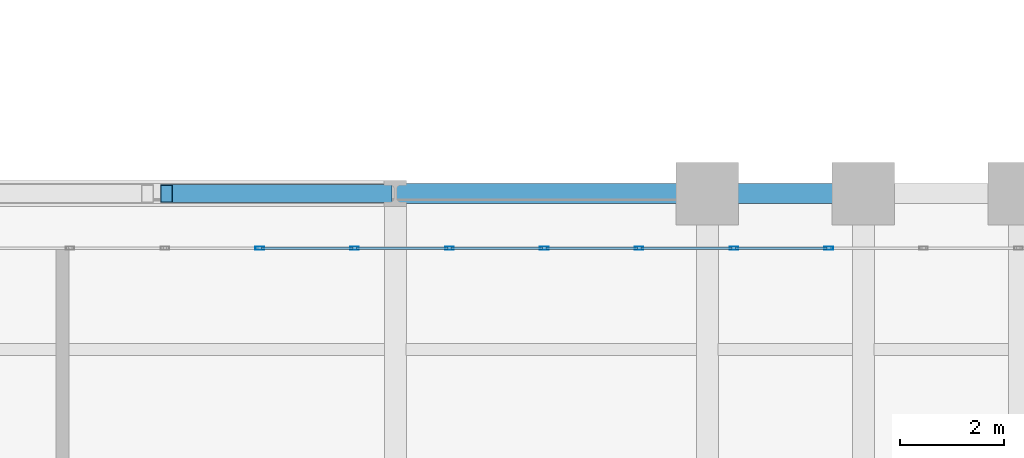
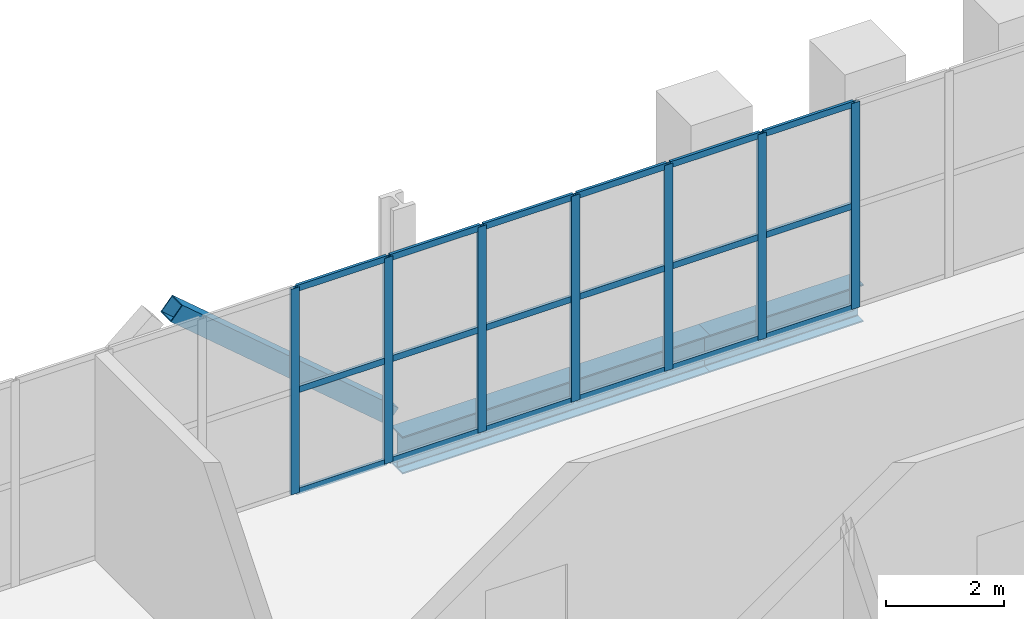
# One storey, part 17 of 27: 26 members, 2 beams, 1 element without a shape of its own.
"""IFC4 building model written with IfcOpenShell, lengths in metres."""

from ifc_helpers import new_model, si_unit, direction, frame, origin, origin_2d, place, context, subcontext, project, spatial, hollow_rectangle, i_section, extrude, material, layer, layer_set, material_profile, profile_set, type_object, element, aggregate, save


model = new_model("IFC4")

# Units and contexts
model_context = context("Model", 3, precision=1e-05, world=origin(), true_north=direction((0.0, 1.0)))
body_context = subcontext(model_context, "Body", "Model", "MODEL_VIEW")
ifc_project = project(units=[si_unit("LENGTHUNIT", "METRE"), si_unit("AREAUNIT", "SQUARE_METRE"), si_unit("VOLUMEUNIT", "CUBIC_METRE"), si_unit("PLANEANGLEUNIT", "RADIAN"), si_unit("MASSUNIT", "GRAM", prefix="KILO")], contexts=[model_context])

# Site, building, storey
site_placement = place(None, origin())
site = spatial("IfcSite", under=ifc_project, at=site_placement, CompositionType="ELEMENT")
building_placement = place(site_placement, origin())
building = spatial("IfcBuilding", under=site, at=building_placement, Name="Mawjdan Bourse Tower", CompositionType="ELEMENT")
storey_placement = place(building_placement, frame((0.0, 0.0, 84.60009765625)))
storey = spatial("IfcBuildingStorey", under=building, at=storey_placement, Name="L19", CompositionType="ELEMENT", Elevation=84.60009765625)

# Member
ifc_material_1 = material(Name="Structural Steel S460", Category="steel")
ifc_material_profile_1 = material_profile(ifc_material_1, hollow_rectangle(XDim=0.35009765625, YDim=0.35009765625, WallThickness=0.01611328125, at=origin_2d()), Name="HSS350X350X16")
ifc_profile_set_1 = profile_set([ifc_material_profile_1], Name="Structural Steel S460")
member_type_1 = type_object("IfcMemberType", Name="BRC-HSS350X350X16", PredefinedType="BRACE", material=ifc_profile_set_1)
member_1_placement = place(storey_placement, frame((37.595947265625, 21.0, 3.7998046875), z_axis=(0.760829478047, 0.0, -0.648951851322), x_axis=(0.0, 1.0, 0.0)))
element("IfcMember", 1, at=member_1_placement, inside=storey, type_object=member_type_1, Name="L19 East Outrigger Truss 2 Diagonal 4", PredefinedType="BRACE", context=body_context, shape_type="SweptSolid", body=[
    extrude(hollow_rectangle(XDim=0.35009765625, YDim=0.35009765625, WallThickness=0.01611328125, at=origin_2d()), origin(), (0.0, 0.0, 1.0), 5.547119140625),
])

# Curtain wall, members
ifc_material_2 = material(Name="Thermally Broken Aluminium and Solar Glass", Category="aluminium")
ifc_layer = layer(ifc_material_2, 0.219970703125)
ifc_layer_set = layer_set([ifc_layer], Name="Thermally Broken Aluminium and Solar Glass")
curtain_wall_type = type_object("IfcCurtainWallType", Name="CW-RFG", PredefinedType="USERDEFINED", material=ifc_layer_set)
curtain_wall_placement = place(storey_placement, origin())
curtain_wall = element("IfcCurtainWall", 2, at=curtain_wall_placement, inside=storey, type_object=curtain_wall_type, Name="L19 Refuge Band North Louvre Curtain Wall", ObjectType="REFUGE BAND LOUVRE SCREEN", PredefinedType="USERDEFINED")
ifc_material_3 = material(Name="Thermally Broken Anodised Aluminium", Category="aluminium")
ifc_material_profile_2 = material_profile(ifc_material_3, hollow_rectangle(XDim=0.06494140625, YDim=0.1650390625, WallThickness=0.00390625, at=origin_2d()), Name="ALU-MUL-165X65")
ifc_profile_set_2 = profile_set([ifc_material_profile_2], Name="Thermally Broken Anodised Aluminium")
member_type_2 = type_object("IfcMemberType", Name="MUL-ALU-MUL-165X65", PredefinedType="MULLION", material=ifc_profile_set_2)
member_2_placement = place(storey_placement, frame((50.333251953125, 19.949951171875, 0.0), z_axis=(0.0, 0.0, 1.0), x_axis=(0.0, -1.0, 0.0)))
member_2 = element("IfcMember", 3, at=member_2_placement, type_object=member_type_2, Name="CW-RFG-L19-RFG-N mullion 8", PredefinedType="MULLION", context=body_context, shape_type="SweptSolid", body=[
    extrude(hollow_rectangle(XDim=0.06494140625, YDim=0.1650390625, WallThickness=0.00390625, at=origin_2d()), origin(), (0.0, 0.0, 1.0), 4.25),
])
member_3_placement = place(storey_placement, frame((48.509521484375, 19.949951171875, 0.0), z_axis=(0.0, 0.0, 1.0), x_axis=(0.0, -1.0, 0.0)))
member_3 = element("IfcMember", 4, at=member_3_placement, type_object=member_type_2, Name="CW-RFG-L19-RFG-N mullion 9", PredefinedType="MULLION", context=body_context, shape_type="SweptSolid", body=[
    extrude(hollow_rectangle(XDim=0.06494140625, YDim=0.1650390625, WallThickness=0.00390625, at=origin_2d()), origin(), (0.0, 0.0, 1.0), 4.25),
])
member_4_placement = place(storey_placement, frame((46.685791015625, 19.949951171875, 0.0), z_axis=(0.0, 0.0, 1.0), x_axis=(0.0, -1.0, 0.0)))
member_4 = element("IfcMember", 5, at=member_4_placement, type_object=member_type_2, Name="CW-RFG-L19-RFG-N mullion 10", PredefinedType="MULLION", context=body_context, shape_type="SweptSolid", body=[
    extrude(hollow_rectangle(XDim=0.06494140625, YDim=0.1650390625, WallThickness=0.00390625, at=origin_2d()), origin(), (0.0, 0.0, 1.0), 4.25),
])
member_5_placement = place(storey_placement, frame((44.86181640625, 19.949951171875, 0.0), z_axis=(0.0, 0.0, 1.0), x_axis=(0.0, -1.0, 0.0)))
member_5 = element("IfcMember", 6, at=member_5_placement, type_object=member_type_2, Name="CW-RFG-L19-RFG-N mullion 11", PredefinedType="MULLION", context=body_context, shape_type="SweptSolid", body=[
    extrude(hollow_rectangle(XDim=0.06494140625, YDim=0.1650390625, WallThickness=0.00390625, at=origin_2d()), origin(), (0.0, 0.0, 1.0), 4.25),
])
member_6_placement = place(storey_placement, frame((43.0380859375, 19.949951171875, 0.0), z_axis=(0.0, 0.0, 1.0), x_axis=(0.0, -1.0, 0.0)))
member_6 = element("IfcMember", 7, at=member_6_placement, type_object=member_type_2, Name="CW-RFG-L19-RFG-N mullion 12", PredefinedType="MULLION", context=body_context, shape_type="SweptSolid", body=[
    extrude(hollow_rectangle(XDim=0.06494140625, YDim=0.1650390625, WallThickness=0.00390625, at=origin_2d()), origin(), (0.0, 0.0, 1.0), 4.25),
])
member_7_placement = place(storey_placement, frame((41.21435546875, 19.949951171875, 0.0), z_axis=(0.0, 0.0, 1.0), x_axis=(0.0, -1.0, 0.0)))
member_7 = element("IfcMember", 8, at=member_7_placement, type_object=member_type_2, Name="CW-RFG-L19-RFG-N mullion 13", PredefinedType="MULLION", context=body_context, shape_type="SweptSolid", body=[
    extrude(hollow_rectangle(XDim=0.06494140625, YDim=0.1650390625, WallThickness=0.00390625, at=origin_2d()), origin(), (0.0, 0.0, 1.0), 4.25),
])
member_8_placement = place(storey_placement, frame((39.390380859375, 19.949951171875, 0.0), z_axis=(0.0, 0.0, 1.0), x_axis=(0.0, -1.0, 0.0)))
member_8 = element("IfcMember", 9, at=member_8_placement, type_object=member_type_2, Name="CW-RFG-L19-RFG-N mullion 14", PredefinedType="MULLION", context=body_context, shape_type="SweptSolid", body=[
    extrude(hollow_rectangle(XDim=0.06494140625, YDim=0.1650390625, WallThickness=0.00390625, at=origin_2d()), origin(), (0.0, 0.0, 1.0), 4.25),
])

# Beams
ifc_material_4 = material(Name="Structural Steel S355", Category="steel")
ifc_material_profile_3 = material_profile(ifc_material_4, i_section(OverallWidth=0.381103515625, OverallDepth=0.77294921875, WebThickness=0.0166015625, FlangeThickness=0.027099609375, FilletRadius=0.021728515625, at=origin_2d()), Name="W30X173")
ifc_profile_set_3 = profile_set([ifc_material_profile_3], Name="Structural Steel S355")
beam_type = type_object("IfcBeamType", Name="SPN-W30X173", PredefinedType="SPANDREL", material=ifc_profile_set_3)
beam_1_placement = place(storey_placement, frame((42.0, 21.0, -0.66650390625), z_axis=(1.0, 0.0, 0.0), x_axis=(0.0, 1.0, 0.0)))
element("IfcBeam", 10, at=beam_1_placement, inside=storey, type_object=beam_type, Name="L19 Perimeter Masonry-Shelf Spandrel 018", PredefinedType="SPANDREL", context=body_context, shape_type="SweptSolid", body=[
    extrude(i_section(OverallWidth=0.381103515625, OverallDepth=0.77294921875, WebThickness=0.0166015625, FlangeThickness=0.027099609375, FilletRadius=0.021728515625, at=origin_2d()), origin(), (0.0, 0.0, 1.0), 6.0),
])
beam_2_placement = place(storey_placement, frame((48.0, 21.0, -0.66650390625), z_axis=(1.0, 0.0, 0.0), x_axis=(0.0, 1.0, 0.0)))
element("IfcBeam", 11, at=beam_2_placement, inside=storey, type_object=beam_type, Name="L19 Perimeter Masonry-Shelf Spandrel 019", PredefinedType="SPANDREL", context=body_context, shape_type="SweptSolid", body=[
    extrude(i_section(OverallWidth=0.381103515625, OverallDepth=0.77294921875, WebThickness=0.0166015625, FlangeThickness=0.027099609375, FilletRadius=0.021728515625, at=origin_2d()), origin(), (0.0, 0.0, 1.0), 3.0),
])

# Member
ifc_material_profile_4 = material_profile(ifc_material_3, hollow_rectangle(XDim=0.054931640625, YDim=0.1298828125, WallThickness=0.00341796875, at=origin_2d()), Name="ALU-TRN-130X55")
ifc_profile_set_4 = profile_set([ifc_material_profile_4], Name="Thermally Broken Anodised Aluminium")
member_type_3 = type_object("IfcMemberType", Name="TRN-ALU-TRN-130X55", PredefinedType="USERDEFINED", material=ifc_profile_set_4)
member_9_placement = place(storey_placement, frame((50.30078125, 19.949951171875, 0.02734375), z_axis=(-1.0, 0.0, 0.0), x_axis=(0.0, -1.0, 0.0)))
member_9 = element("IfcMember", 12, at=member_9_placement, type_object=member_type_3, Name="CW-RFG-L19-RFG-N transom 8.1", ObjectType="TRANSOM", PredefinedType="USERDEFINED", context=body_context, shape_type="SweptSolid", body=[
    extrude(hollow_rectangle(XDim=0.054931640625, YDim=0.1298828125, WallThickness=0.00341796875, at=origin_2d()), origin(), (0.0, 0.0, 1.0), 1.7587890625),
])

member_10_placement = place(storey_placement, frame((50.30078125, 19.949951171875, 2.125), z_axis=(-1.0, 0.0, 0.0), x_axis=(0.0, -1.0, 0.0)))
member_10 = element("IfcMember", 13, at=member_10_placement, type_object=member_type_3, Name="CW-RFG-L19-RFG-N transom 8.2", ObjectType="TRANSOM", PredefinedType="USERDEFINED", context=body_context, shape_type="SweptSolid", body=[
    extrude(hollow_rectangle(XDim=0.054931640625, YDim=0.1298828125, WallThickness=0.00341796875, at=origin_2d()), origin(), (0.0, 0.0, 1.0), 1.7587890625),
])

member_11_placement = place(storey_placement, frame((50.30078125, 19.949951171875, 4.222412109375), z_axis=(-1.0, 0.0, 0.0), x_axis=(0.0, -1.0, 0.0)))
member_11 = element("IfcMember", 14, at=member_11_placement, type_object=member_type_3, Name="CW-RFG-L19-RFG-N transom 8.3", ObjectType="TRANSOM", PredefinedType="USERDEFINED", context=body_context, shape_type="SweptSolid", body=[
    extrude(hollow_rectangle(XDim=0.054931640625, YDim=0.1298828125, WallThickness=0.00341796875, at=origin_2d()), origin(), (0.0, 0.0, 1.0), 1.7587890625),
])

member_12_placement = place(storey_placement, frame((48.47705078125, 19.949951171875, 0.02734375), z_axis=(-1.0, 0.0, 0.0), x_axis=(0.0, -1.0, 0.0)))
member_12 = element("IfcMember", 15, at=member_12_placement, type_object=member_type_3, Name="CW-RFG-L19-RFG-N transom 9.1", ObjectType="TRANSOM", PredefinedType="USERDEFINED", context=body_context, shape_type="SweptSolid", body=[
    extrude(hollow_rectangle(XDim=0.054931640625, YDim=0.1298828125, WallThickness=0.00341796875, at=origin_2d()), origin(), (0.0, 0.0, 1.0), 1.7587890625),
])

member_13_placement = place(storey_placement, frame((48.47705078125, 19.949951171875, 2.125), z_axis=(-1.0, 0.0, 0.0), x_axis=(0.0, -1.0, 0.0)))
member_13 = element("IfcMember", 16, at=member_13_placement, type_object=member_type_3, Name="CW-RFG-L19-RFG-N transom 9.2", ObjectType="TRANSOM", PredefinedType="USERDEFINED", context=body_context, shape_type="SweptSolid", body=[
    extrude(hollow_rectangle(XDim=0.054931640625, YDim=0.1298828125, WallThickness=0.00341796875, at=origin_2d()), origin(), (0.0, 0.0, 1.0), 1.7587890625),
])

member_14_placement = place(storey_placement, frame((48.47705078125, 19.949951171875, 4.222412109375), z_axis=(-1.0, 0.0, 0.0), x_axis=(0.0, -1.0, 0.0)))
member_14 = element("IfcMember", 17, at=member_14_placement, type_object=member_type_3, Name="CW-RFG-L19-RFG-N transom 9.3", ObjectType="TRANSOM", PredefinedType="USERDEFINED", context=body_context, shape_type="SweptSolid", body=[
    extrude(hollow_rectangle(XDim=0.054931640625, YDim=0.1298828125, WallThickness=0.00341796875, at=origin_2d()), origin(), (0.0, 0.0, 1.0), 1.7587890625),
])

member_15_placement = place(storey_placement, frame((46.6533203125, 19.949951171875, 0.02734375), z_axis=(-1.0, 0.0, 0.0), x_axis=(0.0, -1.0, 0.0)))
member_15 = element("IfcMember", 18, at=member_15_placement, type_object=member_type_3, Name="CW-RFG-L19-RFG-N transom 10.1", ObjectType="TRANSOM", PredefinedType="USERDEFINED", context=body_context, shape_type="SweptSolid", body=[
    extrude(hollow_rectangle(XDim=0.054931640625, YDim=0.1298828125, WallThickness=0.00341796875, at=origin_2d()), origin(), (0.0, 0.0, 1.0), 1.759033203125),
])

member_16_placement = place(storey_placement, frame((46.6533203125, 19.949951171875, 2.125), z_axis=(-1.0, 0.0, 0.0), x_axis=(0.0, -1.0, 0.0)))
member_16 = element("IfcMember", 19, at=member_16_placement, type_object=member_type_3, Name="CW-RFG-L19-RFG-N transom 10.2", ObjectType="TRANSOM", PredefinedType="USERDEFINED", context=body_context, shape_type="SweptSolid", body=[
    extrude(hollow_rectangle(XDim=0.054931640625, YDim=0.1298828125, WallThickness=0.00341796875, at=origin_2d()), origin(), (0.0, 0.0, 1.0), 1.759033203125),
])

member_17_placement = place(storey_placement, frame((46.6533203125, 19.949951171875, 4.222412109375), z_axis=(-1.0, 0.0, 0.0), x_axis=(0.0, -1.0, 0.0)))
member_17 = element("IfcMember", 20, at=member_17_placement, type_object=member_type_3, Name="CW-RFG-L19-RFG-N transom 10.3", ObjectType="TRANSOM", PredefinedType="USERDEFINED", context=body_context, shape_type="SweptSolid", body=[
    extrude(hollow_rectangle(XDim=0.054931640625, YDim=0.1298828125, WallThickness=0.00341796875, at=origin_2d()), origin(), (0.0, 0.0, 1.0), 1.759033203125),
])

member_18_placement = place(storey_placement, frame((44.829345703125, 19.949951171875, 0.02734375), z_axis=(-1.0, 0.0, 0.0), x_axis=(0.0, -1.0, 0.0)))
member_18 = element("IfcMember", 21, at=member_18_placement, type_object=member_type_3, Name="CW-RFG-L19-RFG-N transom 11.1", ObjectType="TRANSOM", PredefinedType="USERDEFINED", context=body_context, shape_type="SweptSolid", body=[
    extrude(hollow_rectangle(XDim=0.054931640625, YDim=0.1298828125, WallThickness=0.00341796875, at=origin_2d()), origin(), (0.0, 0.0, 1.0), 1.7587890625),
])

member_19_placement = place(storey_placement, frame((44.829345703125, 19.949951171875, 2.125), z_axis=(-1.0, 0.0, 0.0), x_axis=(0.0, -1.0, 0.0)))
member_19 = element("IfcMember", 22, at=member_19_placement, type_object=member_type_3, Name="CW-RFG-L19-RFG-N transom 11.2", ObjectType="TRANSOM", PredefinedType="USERDEFINED", context=body_context, shape_type="SweptSolid", body=[
    extrude(hollow_rectangle(XDim=0.054931640625, YDim=0.1298828125, WallThickness=0.00341796875, at=origin_2d()), origin(), (0.0, 0.0, 1.0), 1.7587890625),
])

member_20_placement = place(storey_placement, frame((44.829345703125, 19.949951171875, 4.222412109375), z_axis=(-1.0, 0.0, 0.0), x_axis=(0.0, -1.0, 0.0)))
member_20 = element("IfcMember", 23, at=member_20_placement, type_object=member_type_3, Name="CW-RFG-L19-RFG-N transom 11.3", ObjectType="TRANSOM", PredefinedType="USERDEFINED", context=body_context, shape_type="SweptSolid", body=[
    extrude(hollow_rectangle(XDim=0.054931640625, YDim=0.1298828125, WallThickness=0.00341796875, at=origin_2d()), origin(), (0.0, 0.0, 1.0), 1.7587890625),
])

member_21_placement = place(storey_placement, frame((43.005615234375, 19.949951171875, 0.02734375), z_axis=(-1.0, 0.0, 0.0), x_axis=(0.0, -1.0, 0.0)))
member_21 = element("IfcMember", 24, at=member_21_placement, type_object=member_type_3, Name="CW-RFG-L19-RFG-N transom 12.1", ObjectType="TRANSOM", PredefinedType="USERDEFINED", context=body_context, shape_type="SweptSolid", body=[
    extrude(hollow_rectangle(XDim=0.054931640625, YDim=0.1298828125, WallThickness=0.00341796875, at=origin_2d()), origin(), (0.0, 0.0, 1.0), 1.7587890625),
])

member_22_placement = place(storey_placement, frame((43.005615234375, 19.949951171875, 2.125), z_axis=(-1.0, 0.0, 0.0), x_axis=(0.0, -1.0, 0.0)))
member_22 = element("IfcMember", 25, at=member_22_placement, type_object=member_type_3, Name="CW-RFG-L19-RFG-N transom 12.2", ObjectType="TRANSOM", PredefinedType="USERDEFINED", context=body_context, shape_type="SweptSolid", body=[
    extrude(hollow_rectangle(XDim=0.054931640625, YDim=0.1298828125, WallThickness=0.00341796875, at=origin_2d()), origin(), (0.0, 0.0, 1.0), 1.7587890625),
])

member_23_placement = place(storey_placement, frame((43.005615234375, 19.949951171875, 4.222412109375), z_axis=(-1.0, 0.0, 0.0), x_axis=(0.0, -1.0, 0.0)))
member_23 = element("IfcMember", 26, at=member_23_placement, type_object=member_type_3, Name="CW-RFG-L19-RFG-N transom 12.3", ObjectType="TRANSOM", PredefinedType="USERDEFINED", context=body_context, shape_type="SweptSolid", body=[
    extrude(hollow_rectangle(XDim=0.054931640625, YDim=0.1298828125, WallThickness=0.00341796875, at=origin_2d()), origin(), (0.0, 0.0, 1.0), 1.7587890625),
])

member_24_placement = place(storey_placement, frame((41.181884765625, 19.949951171875, 0.02734375), z_axis=(-1.0, 0.0, 0.0), x_axis=(0.0, -1.0, 0.0)))
member_24 = element("IfcMember", 27, at=member_24_placement, type_object=member_type_3, Name="CW-RFG-L19-RFG-N transom 13.1", ObjectType="TRANSOM", PredefinedType="USERDEFINED", context=body_context, shape_type="SweptSolid", body=[
    extrude(hollow_rectangle(XDim=0.054931640625, YDim=0.1298828125, WallThickness=0.00341796875, at=origin_2d()), origin(), (0.0, 0.0, 1.0), 1.7587890625),
])

member_25_placement = place(storey_placement, frame((41.181884765625, 19.949951171875, 2.125), z_axis=(-1.0, 0.0, 0.0), x_axis=(0.0, -1.0, 0.0)))
member_25 = element("IfcMember", 28, at=member_25_placement, type_object=member_type_3, Name="CW-RFG-L19-RFG-N transom 13.2", ObjectType="TRANSOM", PredefinedType="USERDEFINED", context=body_context, shape_type="SweptSolid", body=[
    extrude(hollow_rectangle(XDim=0.054931640625, YDim=0.1298828125, WallThickness=0.00341796875, at=origin_2d()), origin(), (0.0, 0.0, 1.0), 1.7587890625),
])

member_26_placement = place(storey_placement, frame((41.181884765625, 19.949951171875, 4.222412109375), z_axis=(-1.0, 0.0, 0.0), x_axis=(0.0, -1.0, 0.0)))
member_26 = element("IfcMember", 29, at=member_26_placement, type_object=member_type_3, Name="CW-RFG-L19-RFG-N transom 13.3", ObjectType="TRANSOM", PredefinedType="USERDEFINED", context=body_context, shape_type="SweptSolid", body=[
    extrude(hollow_rectangle(XDim=0.054931640625, YDim=0.1298828125, WallThickness=0.00341796875, at=origin_2d()), origin(), (0.0, 0.0, 1.0), 1.7587890625),
])

aggregate(curtain_wall, [member_2, member_3, member_4, member_5, member_6, member_7, member_8, member_9, member_10, member_11, member_12, member_13, member_14, member_15, member_16, member_17, member_18, member_19, member_20, member_21, member_22, member_23, member_24, member_25, member_26])

save(model, "model.ifc")
